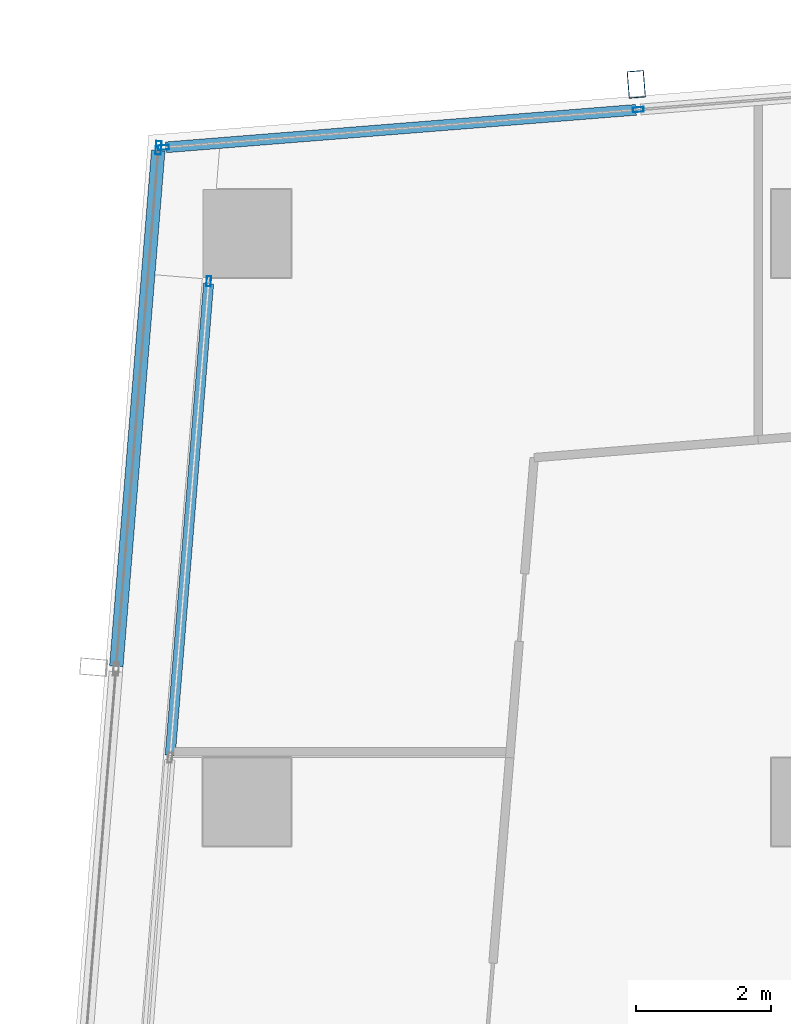
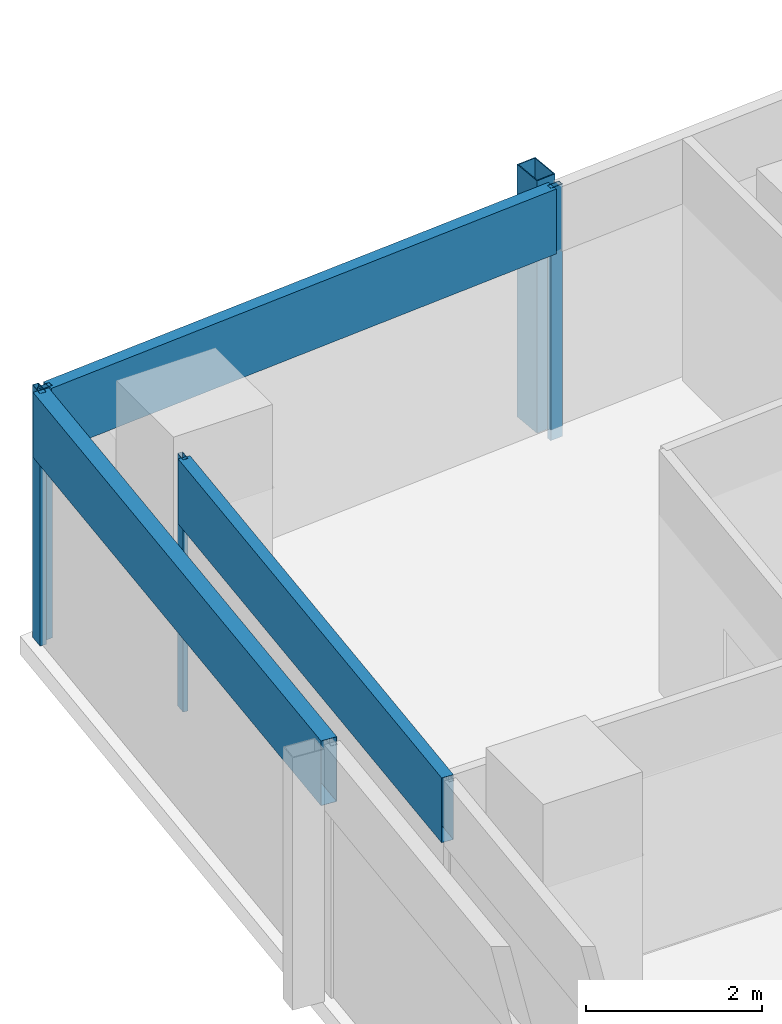
# One storey, part 15 of 29: 8 members, 3 elements without a shape of their own.
"""IFC4 building model written with IfcOpenShell, lengths in metres."""

from ifc_helpers import new_model, si_unit, direction, frame, origin, origin_2d, place, context, subcontext, project, spatial, hollow_rectangle, extrude, material, material_profile, profile_set, type_object, element, aggregate, save


model = new_model("IFC4")

# Units and contexts
model_context = context("Model", 3, precision=1e-05, world=origin(), true_north=direction((0.0, 1.0)))
body_context = subcontext(model_context, "Body", "Model", "MODEL_VIEW")
ifc_project = project(units=[si_unit("LENGTHUNIT", "METRE"), si_unit("AREAUNIT", "SQUARE_METRE"), si_unit("VOLUMEUNIT", "CUBIC_METRE"), si_unit("PLANEANGLEUNIT", "RADIAN"), si_unit("MASSUNIT", "GRAM", prefix="KILO")], contexts=[model_context])

# Site, building, storey
site_placement = place(None, origin())
site = spatial("IfcSite", under=ifc_project, at=site_placement, CompositionType="ELEMENT")
building_placement = place(site_placement, origin())
building = spatial("IfcBuilding", under=site, at=building_placement, Name="Rekha Terrace Tower", CompositionType="ELEMENT")
storey_placement = place(building_placement, frame((0.0, 0.0, 257.60009765625)))
storey = spatial("IfcBuildingStorey", under=building, at=storey_placement, Name="L65", CompositionType="ELEMENT", Elevation=257.60009765625)

# Curtain wall, member
ifc_material_1 = material(Name="Aluminium framing", Category="aluminium")
curtain_wall_type_1 = type_object("IfcCurtainWallType", Name="CW3 north unitised glazing", PredefinedType="USERDEFINED", material=ifc_material_1)
curtain_wall_1_placement = place(storey_placement, origin())
curtain_wall_1 = element("IfcCurtainWall", 1, at=curtain_wall_1_placement, inside=storey, type_object=curtain_wall_type_1, Name="CW3 unitised curtain wall", ObjectType="UNITISED CURTAIN WALL", PredefinedType="USERDEFINED")
ifc_material_2 = material(Name="Steel S355 with fluorocarbon finish", Category="steel")
ifc_material_profile_1 = material_profile(ifc_material_2, hollow_rectangle(XDim=0.25, YDim=0.39990234375, WallThickness=0.012451171875, at=origin_2d()), Name="RHS400x250x12.5")
ifc_profile_set_1 = profile_set([ifc_material_profile_1], Name="Steel S355 with fluorocarbon finish")
member_type_1 = type_object("IfcMemberType", Name="BL1 facade blade RHS 400 x 250", PredefinedType="USERDEFINED", material=ifc_profile_set_1)
member_1_placement = place(storey_placement, frame((14.1513671875, 52.599853515625, 0.0), z_axis=(0.0, 0.0, 1.0), x_axis=(-0.996836012392, -0.079485623849, 0.0)))
member_1 = element("IfcMember", 2, at=member_1_placement, type_object=member_type_1, Name="Facade blade", ObjectType="FACADE BLADE", PredefinedType="USERDEFINED", context=body_context, shape_type="SweptSolid", body=[
    extrude(hollow_rectangle(XDim=0.25, YDim=0.39990234375, WallThickness=0.012451171875, at=origin_2d()), origin(), (0.0, 0.0, 1.0), 3.5),
])

# Curtain wall, members
curtain_wall_type_2 = type_object("IfcCurtainWallType", Name="CW1 double skin inner glazing", PredefinedType="USERDEFINED", material=ifc_material_1)
curtain_wall_2_placement = place(storey_placement, origin())
curtain_wall_2 = element("IfcCurtainWall", 3, at=curtain_wall_2_placement, inside=storey, type_object=curtain_wall_type_2, Name="CW1 double skin inner glazing", ObjectType="DOUBLE SKIN INNER GLAZING", PredefinedType="USERDEFINED")
ifc_material_3 = material(Name="Aluminium mullion section", Category="aluminium")
ifc_material_profile_2 = material_profile(ifc_material_3, hollow_rectangle(XDim=0.06494140625, YDim=0.14990234375, WallThickness=0.00390625, at=origin_2d()), Name="AL RHS 65x150")
ifc_profile_set_2 = profile_set([ifc_material_profile_2], Name="Aluminium mullion section")
member_type_2 = type_object("IfcMemberType", Name="CW1 mullion RHS 65 x 150", PredefinedType="MULLION", material=ifc_profile_set_2)
member_2_placement = place(storey_placement, frame((7.837890625, 49.690185546875, 0.0), z_axis=(0.0, 0.0, 1.0), x_axis=(0.996708580524, -0.081067906781, 0.0)))
member_2 = element("IfcMember", 4, at=member_2_placement, type_object=member_type_2, Name="CW1 mullion 1", PredefinedType="MULLION", context=body_context, shape_type="SweptSolid", body=[
    extrude(hollow_rectangle(XDim=0.06494140625, YDim=0.14990234375, WallThickness=0.00390625, at=origin_2d()), origin(), (0.0, 0.0, 1.0), 3.5),
])
ifc_material_4 = material(Name="Insulated aluminium spandrel box", Category="aluminium")
ifc_material_profile_3 = material_profile(ifc_material_4, hollow_rectangle(XDim=0.14990234375, YDim=0.89990234375, WallThickness=0.0029296875, at=origin_2d()), Name="AL SPANDREL BOX 150x900")
ifc_profile_set_3 = profile_set([ifc_material_profile_3], Name="Insulated aluminium spandrel box")
member_type_3 = type_object("IfcMemberType", Name="CW1 spandrel transom 150 x 900", PredefinedType="USERDEFINED", material=ifc_profile_set_3)
member_3_placement = place(storey_placement, frame((7.835205078125, 49.65771484375, 3.0498046875), z_axis=(-0.081074618383, -0.996708034609, 0.0), x_axis=(0.996708034609, -0.081074618383, 0.0)))
member_3 = element("IfcMember", 5, at=member_3_placement, type_object=member_type_3, Name="CW1 spandrel transom 1", ObjectType="TRANSOM", PredefinedType="USERDEFINED", context=body_context, shape_type="SweptSolid", body=[
    extrude(hollow_rectangle(XDim=0.14990234375, YDim=0.89990234375, WallThickness=0.0029296875, at=origin_2d()), origin(), (0.0, 0.0, 1.0), 6.9921875),
])
aggregate(curtain_wall_2, [member_2, member_3])

curtain_wall_type_3 = type_object("IfcCurtainWallType", Name="CW2 double skin outer glazing", PredefinedType="USERDEFINED", material=ifc_material_1)
curtain_wall_3_placement = place(storey_placement, origin())
curtain_wall_3 = element("IfcCurtainWall", 6, at=curtain_wall_3_placement, inside=storey, type_object=curtain_wall_type_3, Name="CW2 double skin outer glazing", ObjectType="DOUBLE SKIN OUTER GLAZING", PredefinedType="USERDEFINED")
ifc_material_profile_4 = material_profile(ifc_material_3, hollow_rectangle(XDim=0.080078125, YDim=0.199951171875, WallThickness=0.00390625, at=origin_2d()), Name="AL RHS 80x200")
ifc_profile_set_4 = profile_set([ifc_material_profile_4], Name="Aluminium mullion section")
member_type_4 = type_object("IfcMemberType", Name="CW2 mullion RHS 80 x 200", PredefinedType="MULLION", material=ifc_profile_set_4)
member_4_placement = place(storey_placement, frame((7.09521484375, 51.661376953125, 0.0), z_axis=(0.0, 0.0, 1.0), x_axis=(0.996708580521, -0.081067906816, 0.0)))
member_4 = element("IfcMember", 7, at=member_4_placement, type_object=member_type_4, Name="CW2 mullion 1", PredefinedType="MULLION", context=body_context, shape_type="SweptSolid", body=[
    extrude(hollow_rectangle(XDim=0.080078125, YDim=0.199951171875, WallThickness=0.00390625, at=origin_2d()), origin(), (0.0, 0.0, 1.0), 3.5),
])
ifc_material_profile_5 = material_profile(ifc_material_4, hollow_rectangle(XDim=0.199951171875, YDim=0.89990234375, WallThickness=0.0029296875, at=origin_2d()), Name="AL SPANDREL BOX 200x900")
ifc_profile_set_5 = profile_set([ifc_material_profile_5], Name="Insulated aluminium spandrel box")
member_type_5 = type_object("IfcMemberType", Name="CW2 spandrel transom 200 x 900", PredefinedType="USERDEFINED", material=ifc_profile_set_5)
member_5_placement = place(storey_placement, frame((7.092041015625, 51.62158203125, 3.0498046875), z_axis=(-0.081093832935, -0.996706471465, 0.0), x_axis=(0.996706471465, -0.081093832935, 0.0)))
member_5 = element("IfcMember", 8, at=member_5_placement, type_object=member_type_5, Name="CW2 spandrel transom 1", ObjectType="TRANSOM", PredefinedType="USERDEFINED", context=body_context, shape_type="SweptSolid", body=[
    extrude(hollow_rectangle(XDim=0.199951171875, YDim=0.89990234375, WallThickness=0.0029296875, at=origin_2d()), origin(), (0.0, 0.0, 1.0), 7.640869140625),
])
aggregate(curtain_wall_3, [member_4, member_5])

# Member
ifc_material_profile_6 = material_profile(ifc_material_3, hollow_rectangle(XDim=0.070068359375, YDim=0.159912109375, WallThickness=0.00390625, at=origin_2d()), Name="AL RHS 70x160")
ifc_profile_set_6 = profile_set([ifc_material_profile_6], Name="Aluminium mullion section")
member_type_6 = type_object("IfcMemberType", Name="CW3 mullion RHS 70 x 160", PredefinedType="MULLION", material=ifc_profile_set_6)
member_6_placement = place(storey_placement, frame((14.18115234375, 52.22607421875, 0.0), z_axis=(0.0, 0.0, 1.0), x_axis=(0.07948505154, -0.996836058026, 0.0)))
member_6 = element("IfcMember", 9, at=member_6_placement, type_object=member_type_6, Name="CW3 mullion 3", PredefinedType="MULLION", context=body_context, shape_type="SweptSolid", body=[
    extrude(hollow_rectangle(XDim=0.070068359375, YDim=0.159912109375, WallThickness=0.00390625, at=origin_2d()), origin(), (0.0, 0.0, 1.0), 3.5),
])

member_7_placement = place(storey_placement, frame((7.17041015625, 51.6669921875, 0.0), z_axis=(0.0, 0.0, 1.0), x_axis=(0.07948505154, -0.996836058026, 0.0)))
member_7 = element("IfcMember", 10, at=member_7_placement, type_object=member_type_6, Name="CW3 mullion 4", PredefinedType="MULLION", context=body_context, shape_type="SweptSolid", body=[
    extrude(hollow_rectangle(XDim=0.070068359375, YDim=0.159912109375, WallThickness=0.00390625, at=origin_2d()), origin(), (0.0, 0.0, 1.0), 3.5),
])

ifc_material_profile_7 = material_profile(ifc_material_4, hollow_rectangle(XDim=0.159912109375, YDim=0.89990234375, WallThickness=0.0029296875, at=origin_2d()), Name="AL SPANDREL BOX 160x900")
ifc_profile_set_7 = profile_set([ifc_material_profile_7], Name="Insulated aluminium spandrel box")
member_type_7 = type_object("IfcMemberType", Name="CW3 spandrel transom 160 x 900", PredefinedType="USERDEFINED", material=ifc_profile_set_7)
member_8_placement = place(storey_placement, frame((14.146240234375, 52.22314453125, 3.0498046875), z_axis=(-0.996835870382, -0.079487404789, 0.0), x_axis=(0.079487404789, -0.996835870382, 0.0)))
member_8 = element("IfcMember", 11, at=member_8_placement, type_object=member_type_7, Name="CW3 spandrel transom 3", ObjectType="TRANSOM", PredefinedType="USERDEFINED", context=body_context, shape_type="SweptSolid", body=[
    extrude(hollow_rectangle(XDim=0.159912109375, YDim=0.89990234375, WallThickness=0.0029296875, at=origin_2d()), origin(), (0.0, 0.0, 1.0), 6.962890625),
])

aggregate(curtain_wall_1, [member_6, member_7, member_8, member_1])

save(model, "model.ifc")
